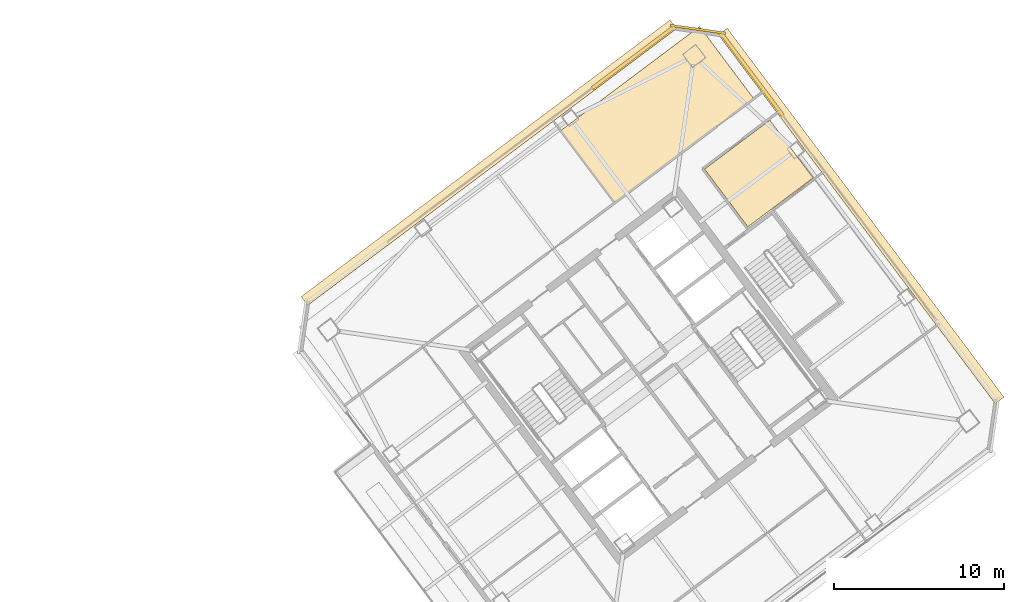
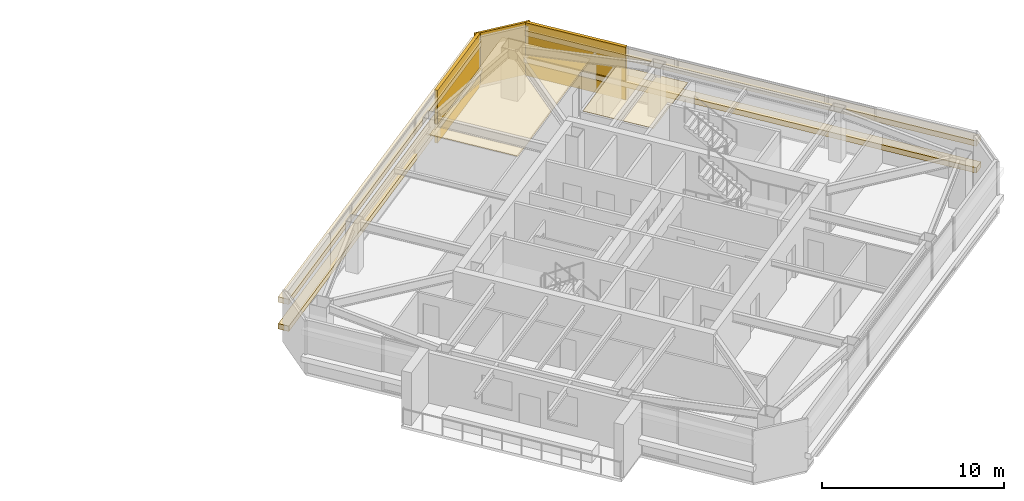
# One storey, part 39 of 39: 9 coverings.
"""IFC4 building model written with IfcOpenShell, lengths in metres."""

from ifc_helpers import new_model, si_unit, direction, frame, origin, origin_2d, place, context, subcontext, project, spatial, polyline, rectangle, outline, extrude, material, layer, layer_set, type_object, element, save


model = new_model("IFC4")

# Units and contexts
model_context = context("Model", 3, precision=1e-05, world=origin(), true_north=direction((0.0, 1.0)))
body_context = subcontext(model_context, "Body", "Model", "MODEL_VIEW")
ifc_project = project(units=[si_unit("LENGTHUNIT", "METRE"), si_unit("AREAUNIT", "SQUARE_METRE"), si_unit("VOLUMEUNIT", "CUBIC_METRE"), si_unit("PLANEANGLEUNIT", "RADIAN"), si_unit("MASSUNIT", "GRAM", prefix="KILO")], contexts=[model_context])

# Site, building, storey
site_placement = place(None, origin())
site = spatial("IfcSite", under=ifc_project, at=site_placement, CompositionType="ELEMENT")
building_placement = place(site_placement, origin())
building = spatial("IfcBuilding", under=site, at=building_placement, Name="Tashvorn Skyway Center", CompositionType="ELEMENT")
storey_placement = place(building_placement, frame((0.0, 0.0, 225.5)))
storey = spatial("IfcBuildingStorey", under=building, at=storey_placement, Name="L61", CompositionType="ELEMENT", Elevation=225.5)

# Coverings
ifc_material_1 = material(Name="Precast concrete C40/50", Category="concrete")
ifc_layer_1 = layer(ifc_material_1, 0.199951171875)
ifc_layer_set_1 = layer_set([ifc_layer_1], Name="Precast concrete C40/50")
covering_type_1 = type_object("IfcCoveringType", Name="COV-BRACE-CLAD", PredefinedType="CLADDING", material=ifc_layer_set_1)
for number, where, z_axis, x_axis, name in (
    (1, (113.099609375, 50.674560546875, 0.0), (0.0, 0.0, 1.0), (0.799999996291, 0.600000004945, 0.0), "Tower 2 L61 North Unitised Curtain Wall Mega-Brace Cladding Band 2"),
    (2, (120.09326171875, 49.675537109375, 0.0), (0.0, 0.0, 1.0), (0.600000004945, -0.799999996291, 0.0), "Tower 2 L61 East Unitised Curtain Wall Mega-Brace Cladding Band 1"),
):
    element("IfcCovering", number, at=place(storey_placement, frame(where, z_axis=z_axis, x_axis=x_axis)), inside=storey, type_object=covering_type_1, Name=name, PredefinedType="CLADDING", context=body_context, shape_type="SweptSolid", body=[
        extrude(rectangle(XDim=5.9912109375, YDim=0.199951171875, at=origin_2d()), origin(), (0.0, 0.0, 1.0), 3.550048828125),
    ])
ifc_material_2 = material(Name="Mineral-fibre acoustic ceiling tile on suspended grid")
ifc_layer_2 = layer(ifc_material_2, 0.02001953125)
ifc_layer_set_2 = layer_set([ifc_layer_2], Name="Mineral-fibre acoustic ceiling tile on suspended grid")
covering_type_2 = type_object("IfcCoveringType", Name="COV-CEIL-20", PredefinedType="CEILING", material=ifc_layer_set_2)
covering_1_placement = place(storey_placement, frame((0.0, 0.0, 2.702880859375)))
element("IfcCovering", 3, at=covering_1_placement, inside=storey, type_object=covering_type_2, Name="Tower 2 L61 Wellness Clinic Acoustic Ceiling", PredefinedType="CEILING", context=body_context, shape_type="SweptSolid", body=[
    extrude(outline(polyline([(112.02001953125, 42.139892578125), (120.179931640625, 48.260009765625), (117.0, 52.5), (108.840087890625, 46.3798828125), (112.02001953125, 42.139892578125)])), origin(), (0.0, 0.0, 1.0), 0.02001953125),
])
covering_2_placement = place(storey_placement, frame((0.0, 0.0, 2.702880859375)))
element("IfcCovering", 4, at=covering_2_placement, inside=storey, type_object=covering_type_2, Name="Tower 2 L61 Operations Control Room Acoustic Ceiling", PredefinedType="CEILING", context=body_context, shape_type="SweptSolid", body=[
    extrude(outline(polyline([(119.840087890625, 40.72998046875), (117.2958984375, 44.1220703125), (121.1279296875, 46.99609375), (123.672119140625, 43.60400390625), (119.840087890625, 40.72998046875)])), origin(), (0.0, 0.0, 1.0), 0.02001953125),
])
ifc_material_3 = material(Name="Perforated ceramic-coated bronze aluminium solar screen", Category="aluminium")
ifc_layer_3 = layer(ifc_material_3, 0.85009765625)
ifc_layer_set_3 = layer_set([ifc_layer_3], Name="Perforated ceramic-coated bronze aluminium solar screen")
covering_type_3 = type_object("IfcCoveringType", Name="COV-SOLAR-BAND", PredefinedType="CLADDING", material=ifc_layer_set_3)
for number, where, z_axis, x_axis, name in (
    (5, (104.6279296875, 44.49609375, 0.919921875), (0.0, 0.0, 1.0), (0.799999996291, 0.600000004945, 0.0), "L61 Perforated Ceramic-Metal Solar Screen Louvre Band North 1"),
    (6, (104.6279296875, 44.49609375, 2.7197265625), (0.0, 0.0, 1.0), (0.799999996291, 0.600000004945, 0.0), "L61 Perforated Ceramic-Metal Solar Screen Louvre Band North 2"),
    (7, (126.49609375, 41.3720703125, 0.919921875), (0.0, 0.0, 1.0), (0.600000004945, -0.799999996291, 0.0), "L61 Perforated Ceramic-Metal Solar Screen Louvre Band East 1"),
    (8, (126.49609375, 41.3720703125, 2.7197265625), (0.0, 0.0, 1.0), (0.600000004945, -0.799999996291, 0.0), "L61 Perforated Ceramic-Metal Solar Screen Louvre Band East 2"),
):
    element("IfcCovering", number, at=place(storey_placement, frame(where, z_axis=z_axis, x_axis=x_axis)), inside=storey, type_object=covering_type_3, Name=name, PredefinedType="CLADDING", context=body_context, shape_type="SweptSolid", body=[
        extrude(rectangle(XDim=27.080078125, YDim=0.639892578125, at=origin_2d()), origin(), (0.0, 0.0, 1.0), 0.360107421875),
    ])
ifc_layer_4 = layer(ifc_material_1, 0.35009765625)
ifc_layer_set_4 = layer_set([ifc_layer_4], Name="Precast concrete C40/50")
covering_type_4 = type_object("IfcCoveringType", Name="COV-STONE-TRIM", PredefinedType="CLADDING", material=ifc_layer_set_4)
covering_3_placement = place(storey_placement, frame((116.904052734375, 52.327880859375, 0.02001953125), z_axis=(0.0, 0.0, 1.0), x_axis=(0.989949494535, -0.141421350118, 0.0)))
element("IfcCovering", 9, at=covering_3_placement, inside=storey, type_object=covering_type_4, Name="Tower 2 L61 NE Mojave Limestone Corner Quoin", PredefinedType="CLADDING", context=body_context, shape_type="SweptSolid", body=[
    extrude(rectangle(XDim=3.271240234375, YDim=0.139892578125, at=origin_2d()), origin(), (0.0, 0.0, 1.0), 3.510009765625),
])

save(model, "model.ifc")
